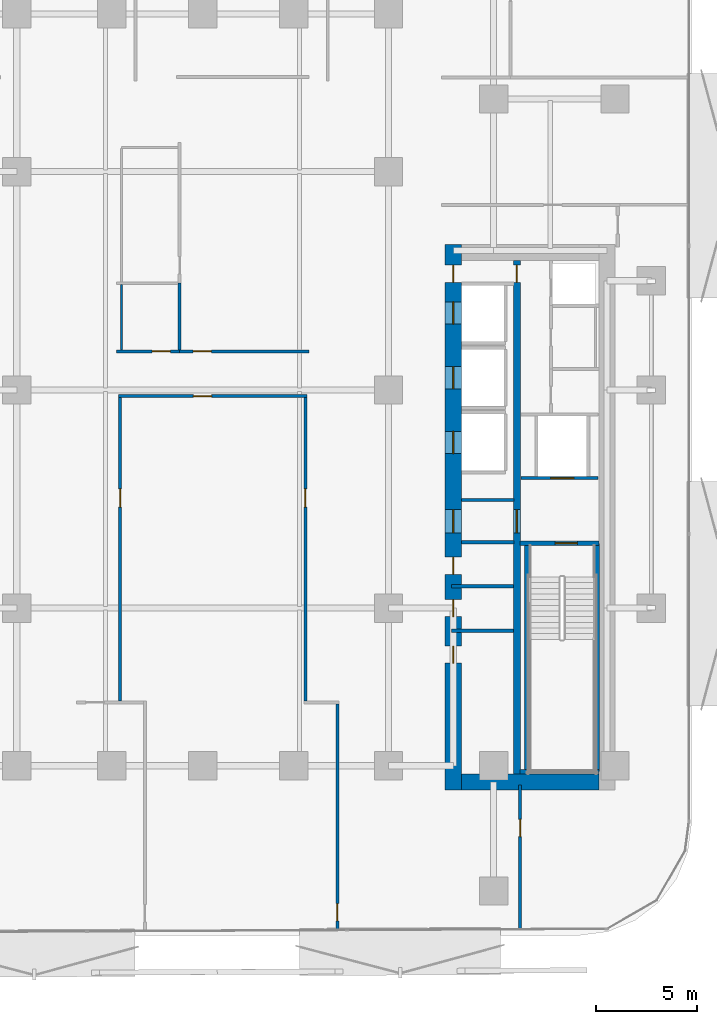
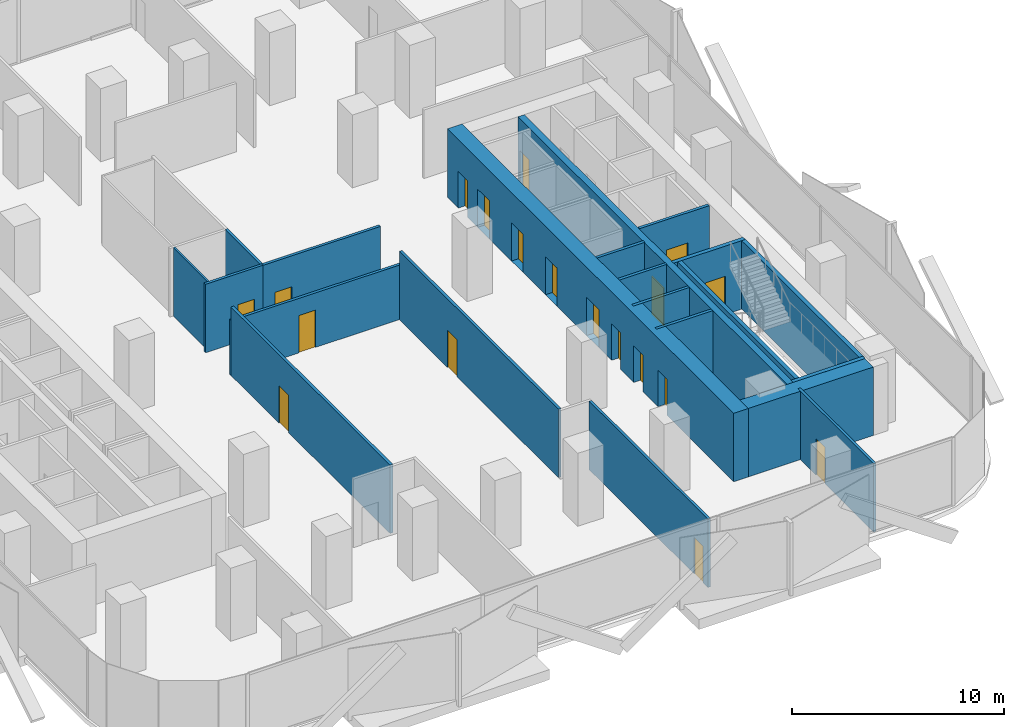
# One storey, part 4 of 15: 21 walls, 19 doors, 19 openings.
"""IFC4 building model written with IfcOpenShell, lengths in metres."""

from ifc_helpers import new_model, si_unit, direction, frame, frame_2d, origin, place, context, subcontext, project, spatial, rectangle, extrude, material, layer, layer_set, type_object, element, fill, save


model = new_model("IFC4")

# Units and contexts
model_context = context("Model", 3, precision=1e-05, world=origin(), true_north=direction((0.0, 1.0)))
body_context = subcontext(model_context, "Body", "Model", "MODEL_VIEW")
ifc_project = project(units=[si_unit("LENGTHUNIT", "METRE"), si_unit("AREAUNIT", "SQUARE_METRE"), si_unit("VOLUMEUNIT", "CUBIC_METRE"), si_unit("PLANEANGLEUNIT", "RADIAN"), si_unit("MASSUNIT", "GRAM", prefix="KILO")], contexts=[model_context])

# Site, building, storey
site_placement = place(None, origin())
site = spatial("IfcSite", under=ifc_project, at=site_placement, CompositionType="ELEMENT")
building_placement = place(site_placement, origin())
building = spatial("IfcBuilding", under=site, at=building_placement, Name="Khairoan Windgate Tower", CompositionType="ELEMENT")
storey_placement = place(building_placement, frame((0.0, 0.0, 76.39990234375)))
storey = spatial("IfcBuildingStorey", under=building, at=storey_placement, Name="L18", CompositionType="ELEMENT", Elevation=76.39990234375)

# Wall
ifc_material_1 = material(Name="Moisture-Resistant Gypsum Partition", Category="gypsum")
ifc_layer_1 = layer(ifc_material_1, 0.10009765625, Name="Moisture-Resistant Gypsum Partition")
ifc_layer_set_1 = layer_set([ifc_layer_1], Name="Moisture-Resistant Gypsum Partition")
wall_type_1 = type_object("IfcWallType", Name="Bathroom Wet-Area Partition Wall", PredefinedType="PARTITIONING", material=ifc_layer_set_1)
wall_1_placement = place(storey_placement, frame((-4.02001953125, 1.97998046875, 0.0), z_axis=(0.0, 0.0, 1.0), x_axis=(0.0, 1.0, 0.0)))
element("IfcWall", 1, at=wall_1_placement, inside=storey, type_object=wall_type_1, Name="L18 Wet Room Side Wall 045", PredefinedType="PARTITIONING", context=body_context, shape_type="SweptSolid", body=[
    extrude(rectangle(XDim=3.22998046875, YDim=0.10009765625, at=frame_2d((1.614990234375, 0.0))), origin(), (0.0, 0.0, 1.0), 3.940185546875),
])

# Wall, opening, door
ifc_material_2 = material(Name="Concrete C40/50", Category="concrete")
ifc_layer_2 = layer(ifc_material_2, 0.159912109375, Name="Concrete C40/50")
ifc_layer_set_2 = layer_set([ifc_layer_2], Name="Concrete C40/50")
wall_type_2 = type_object("IfcWallType", Name="Core and Hoistway Enclosure Wall", PredefinedType="STANDARD", material=ifc_layer_set_2)
wall_2_placement = place(storey_placement, frame((15.75, -4.360107421875, 0.0), z_axis=(0.0, 0.0, 1.0), x_axis=(1.0, 0.0, 0.0)))
wall_2 = element("IfcWall", 2, at=wall_2_placement, inside=storey, type_object=wall_type_2, Name="L18 Core Shaft Wall SW-FL1-L18", PredefinedType="STANDARD", context=body_context, shape_type="SweptSolid", body=[
    extrude(rectangle(XDim=3.800048828125, YDim=0.159912109375, at=frame_2d((1.89990234375, 0.0))), origin(), (0.0, 0.0, 1.0), 3.940185546875),
])
opening_1_placement = place(wall_2_placement, frame((1.469970703125, 0.0, 0.0)))
opening_1 = element("IfcOpeningElement", 3, at=opening_1_placement, cuts=wall_2, Name="Opening LD-FL", PredefinedType="OPENING", context=body_context, shape_type="SweptSolid", body=[
    extrude(rectangle(XDim=1.14990234375, YDim=2.199951171875, at=frame_2d((0.574951171875, 1.10009765625))), frame((0.0, 0.08984375, 0.0), z_axis=(0.0, -1.0, 0.0), x_axis=(1.0, 0.0, 0.0)), (0.0, 0.0, 1.0), 0.179931640625),
])
ifc_material_3 = material(Name="Steel S355", Category="steel")
door_type_1 = type_object("IfcDoorType", Name="Firefighting Lift Sliding Landing Door LD-FL 1150x2200", OperationType="DOUBLE_DOOR_SLIDING", PredefinedType="DOOR", material=ifc_material_3)
door_1_placement = place(opening_1_placement, origin())
door_1 = element("IfcDoor", 4, at=door_1_placement, inside=storey, type_object=door_type_1, Name="L18 Firefighting Lift FL1 Landing Door", OperationType="DOUBLE_DOOR_SLIDING", OverallHeight=2.199951171875, OverallWidth=1.14990234375, PredefinedType="DOOR", context=body_context, shape_type="SweptSolid", body=[
    extrude(rectangle(XDim=1.14990234375, YDim=2.199951171875, at=frame_2d((0.574951171875, 1.10009765625))), frame((0.0, 0.02490234375, 0.0), z_axis=(0.0, -1.0, 0.0), x_axis=(1.0, 0.0, 0.0)), (0.0, 0.0, 1.0), 0.050048828125),
])
fill(opening_1, door_1)

# Walls
for number, where, z_axis, x_axis, name in (
    (5, (12.800048828125, -5.449951171875, 0.0), (0.0, 0.0, 1.0), (1.0, 0.0, 0.0), "L18 Core Shaft Wall SW-EV1-L18"),
    (6, (12.800048828125, -7.5400390625, 0.0), (0.0, 0.0, 1.0), (1.0, 0.0, 0.0), "L18 Core Shaft Wall SW-EV2-L18"),
):
    element("IfcWall", number, at=place(storey_placement, frame(where, z_axis=z_axis, x_axis=x_axis)), inside=storey, type_object=wall_type_2, Name=name, PredefinedType="STANDARD", context=body_context, shape_type="SweptSolid", body=[
        extrude(rectangle(XDim=2.599853515625, YDim=0.159912109375, at=frame_2d((1.2998046875, 0.0))), origin(), (0.0, 0.0, 1.0), 3.940185546875),
    ])

# Wall, opening, door
ifc_material_4 = material(Name="Acoustic Fire-Rated Gypsum Partition", Category="gypsum")
ifc_layer_3 = layer(ifc_material_4, 0.139892578125, Name="Acoustic Fire-Rated Gypsum Partition")
ifc_layer_set_3 = layer_set([ifc_layer_3], Name="Acoustic Fire-Rated Gypsum Partition")
wall_type_3 = type_object("IfcWallType", Name="Inter-Tenancy Compartment Wall", PredefinedType="PARTITIONING", material=ifc_layer_set_3)
wall_3_placement = place(storey_placement, frame((6.6640625, -26.732421875, 0.0), z_axis=(0.0, 0.0, 1.0), x_axis=(0.0, 1.0, 0.0)))
wall_3 = element("IfcWall", 7, at=wall_3_placement, inside=storey, type_object=wall_type_3, Name="L18 Interior Partition 038", PredefinedType="PARTITIONING", context=body_context, shape_type="SweptSolid", body=[
    extrude(rectangle(XDim=11.197509765625, YDim=0.139892578125, at=frame_2d((5.5986328125, 0.0))), origin(), (0.0, 0.0, 1.0), 3.940185546875),
])
opening_2_placement = place(wall_3_placement, frame((0.4599609375, 0.0, 0.0)))
opening_2 = element("IfcOpeningElement", 8, at=opening_2_placement, cuts=wall_3, Name="Opening FD-SRV", PredefinedType="OPENING", context=body_context, shape_type="SweptSolid", body=[
    extrude(rectangle(XDim=0.85009765625, YDim=2.10009765625, at=frame_2d((0.425048828125, 1.050048828125))), frame((0.0, 0.079833984375, 0.0), z_axis=(0.0, -1.0, 0.0), x_axis=(1.0, 0.0, 0.0)), (0.0, 0.0, 1.0), 0.159912109375),
])
ifc_material_5 = material(Name="Steel S355", Category="steel")
door_type_2 = type_object("IfcDoorType", Name="Core Service and Riser Fire Door FD-SRV 850x2100", OperationType="NOTDEFINED", PredefinedType="DOOR", material=ifc_material_5)
door_2_placement = place(opening_2_placement, origin())
door_2 = element("IfcDoor", 9, at=door_2_placement, inside=storey, type_object=door_type_2, Name="L18 L18-48-L18-49 Door", OperationType="SINGLE_SWING_RIGHT", OverallHeight=2.10009765625, OverallWidth=0.85009765625, PredefinedType="DOOR", context=body_context, shape_type="SweptSolid", body=[
    extrude(rectangle(XDim=0.85009765625, YDim=2.10009765625, at=frame_2d((0.425048828125, 1.050048828125))), frame((0.0, 0.02490234375, 0.0), z_axis=(0.0, -1.0, 0.0), x_axis=(1.0, 0.0, 0.0)), (0.0, 0.0, 1.0), 0.050048828125),
])
fill(opening_2, door_2)

wall_4_placement = place(storey_placement, frame((15.7080078125, -26.688720703125, 0.0), z_axis=(0.0, 0.0, 1.0), x_axis=(0.0, 1.0, 0.0)))
wall_4 = element("IfcWall", 10, at=wall_4_placement, inside=storey, type_object=wall_type_3, Name="L18 Interior Partition 039", PredefinedType="PARTITIONING", context=body_context, shape_type="SweptSolid", body=[
    extrude(rectangle(XDim=7.128662109375, YDim=0.139892578125, at=frame_2d((3.564453125, 0.0))), origin(), (0.0, 0.0, 1.0), 3.940185546875),
])
opening_3_placement = place(wall_4_placement, frame((4.58203125, 0.0, 0.0)))
opening_3 = element("IfcOpeningElement", 11, at=opening_3_placement, cuts=wall_4, Name="Opening FD-SRV", PredefinedType="OPENING", context=body_context, shape_type="SweptSolid", body=[
    extrude(rectangle(XDim=0.85009765625, YDim=2.10009765625, at=frame_2d((0.425048828125, 1.050048828125))), frame((0.0, 0.079833984375, 0.0), z_axis=(0.0, -1.0, 0.0), x_axis=(1.0, 0.0, 0.0)), (0.0, 0.0, 1.0), 0.159912109375),
])
door_3_placement = place(opening_3_placement, origin())
door_3 = element("IfcDoor", 12, at=door_3_placement, inside=storey, type_object=door_type_2, Name="L18 L18-49-L18-50 Door", OperationType="SINGLE_SWING_LEFT", OverallHeight=2.10009765625, OverallWidth=0.85009765625, PredefinedType="DOOR", context=body_context, shape_type="SweptSolid", body=[
    extrude(rectangle(XDim=0.85009765625, YDim=2.10009765625, at=frame_2d((0.425048828125, 1.050048828125))), frame((0.0, 0.02490234375, 0.0), z_axis=(0.0, -1.0, 0.0), x_axis=(1.0, 0.0, 0.0)), (0.0, 0.0, 1.0), 0.050048828125),
])
fill(opening_3, door_3)

# Walls
wall_5_placement = place(storey_placement, frame((-1.139892578125, 1.97998046875, 0.0), z_axis=(0.0, 0.0, 1.0), x_axis=(0.0, 1.0, 0.0)))
element("IfcWall", 13, at=wall_5_placement, inside=storey, type_object=wall_type_3, Name="L18 Interior Partition 041", PredefinedType="PARTITIONING", context=body_context, shape_type="SweptSolid", body=[
    extrude(rectangle(XDim=3.300048828125, YDim=0.139892578125, at=frame_2d((1.64990234375, 0.0))), origin(), (0.0, 0.0, 1.0), 3.940185546875),
])
ifc_material_6 = material(Name="Concrete C40/50", Category="concrete")
ifc_layer_4 = layer(ifc_material_6, 0.159912109375, Name="Concrete C40/50")
ifc_layer_set_4 = layer_set([ifc_layer_4], Name="Concrete C40/50")
wall_type_4 = type_object("IfcWallType", Name="Plant and Refuge Compartment Wall", PredefinedType="PARTITIONING", material=ifc_layer_set_4)
for number, where, z_axis, x_axis, name in (
    (14, (12.31005859375, -11.919921875, 0.0), (0.0, 0.0, 1.0), (1.0, 0.0, 0.0), "L18 Interior Partition 011"),
    (15, (12.31005859375, -9.719970703125, 0.0), (0.0, 0.0, 1.0), (1.0, 0.0, 0.0), "L18 Interior Partition 012"),
):
    element("IfcWall", number, at=place(storey_placement, frame(where, z_axis=z_axis, x_axis=x_axis)), inside=storey, type_object=wall_type_4, Name=name, PredefinedType="PARTITIONING", context=body_context, shape_type="SweptSolid", body=[
        extrude(rectangle(XDim=3.06494140625, YDim=0.159912109375, at=frame_2d((1.532470703125, 0.0))), origin(), (0.0, 0.0, 1.0), 3.940185546875),
    ])

# Wall, opening, door
ifc_material_7 = material(Name="Acoustic Fire-Rated Gypsum Partition", Category="gypsum")
ifc_layer_5 = layer(ifc_material_7, 0.14990234375, Name="Acoustic Fire-Rated Gypsum Partition")
ifc_layer_set_5 = layer_set([ifc_layer_5], Name="Acoustic Fire-Rated Gypsum Partition")
wall_type_5 = type_object("IfcWallType", Name="Rated Corridor Partition Wall", PredefinedType="PARTITIONING", material=ifc_layer_set_5)
wall_6_placement = place(storey_placement, frame((-4.260009765625, 1.905029296875, 0.0), z_axis=(0.0, 0.0, 1.0), x_axis=(1.0, 0.0, 0.0)))
wall_6 = element("IfcWall", 16, at=wall_6_placement, inside=storey, type_object=wall_type_5, Name="L18 Interior Partition 014", PredefinedType="PARTITIONING", context=body_context, shape_type="SweptSolid", body=[
    extrude(rectangle(XDim=3.1201171875, YDim=0.14990234375, at=frame_2d((1.56005859375, 0.0))), origin(), (0.0, 0.0, 1.0), 3.940185546875),
])
opening_4_placement = place(wall_6_placement, frame((1.760009765625, 0.0, 0.0)))
opening_4 = element("IfcOpeningElement", 17, at=opening_4_placement, cuts=wall_6, Name="Opening FD-ENT", PredefinedType="OPENING", context=body_context, shape_type="SweptSolid", body=[
    extrude(rectangle(XDim=0.89990234375, YDim=2.14990234375, at=frame_2d((0.449951171875, 1.074951171875))), frame((0.0, 0.0849609375, 0.0), z_axis=(0.0, -1.0, 0.0), x_axis=(1.0, 0.0, 0.0)), (0.0, 0.0, 1.0), 0.169921875),
])
ifc_material_8 = material(Name="Timber Fire-Rated Core", Category="wood")
door_type_3 = type_object("IfcDoorType", Name="Unit and Office Fire Entrance Door FD-ENT 900x2150", OperationType="NOTDEFINED", PredefinedType="DOOR", material=ifc_material_8)
door_4_placement = place(opening_4_placement, origin())
door_4 = element("IfcDoor", 18, at=door_4_placement, inside=storey, type_object=door_type_3, Name="L18 L18-33-L18-51 Door", OperationType="SINGLE_SWING_LEFT", OverallHeight=2.14990234375, OverallWidth=0.89990234375, PredefinedType="DOOR", context=body_context, shape_type="SweptSolid", body=[
    extrude(rectangle(XDim=0.89990234375, YDim=2.14990234375, at=frame_2d((0.449951171875, 1.074951171875))), frame((0.0, 0.02490234375, 0.0), z_axis=(0.0, -1.0, 0.0), x_axis=(1.0, 0.0, 0.0)), (0.0, 0.0, 1.0), 0.050048828125),
])
fill(opening_4, door_4)

wall_7_placement = place(storey_placement, frame((-1.139892578125, 1.905029296875, 0.0), z_axis=(0.0, 0.0, 1.0), x_axis=(1.0, 0.0, 0.0)))
wall_7 = element("IfcWall", 19, at=wall_7_placement, inside=storey, type_object=wall_type_5, Name="L18 Interior Partition 015", PredefinedType="PARTITIONING", context=body_context, shape_type="SweptSolid", body=[
    extrude(rectangle(XDim=6.39990234375, YDim=0.14990234375, at=frame_2d((3.199951171875, 0.0))), origin(), (0.0, 0.0, 1.0), 3.940185546875),
])
opening_5_placement = place(wall_7_placement, frame((0.668212890625, 0.0, 0.0)))
opening_5 = element("IfcOpeningElement", 20, at=opening_5_placement, cuts=wall_7, Name="Opening FD-ENT", PredefinedType="OPENING", context=body_context, shape_type="SweptSolid", body=[
    extrude(rectangle(XDim=0.89990234375, YDim=2.14990234375, at=frame_2d((0.449951171875, 1.074951171875))), frame((0.0, 0.0849609375, 0.0), z_axis=(0.0, -1.0, 0.0), x_axis=(1.0, 0.0, 0.0)), (0.0, 0.0, 1.0), 0.169921875),
])
door_5_placement = place(opening_5_placement, origin())
door_5 = element("IfcDoor", 21, at=door_5_placement, inside=storey, type_object=door_type_3, Name="L18 L18-33-L18-53 Door", OperationType="SINGLE_SWING_RIGHT", OverallHeight=2.14990234375, OverallWidth=0.89990234375, PredefinedType="DOOR", context=body_context, shape_type="SweptSolid", body=[
    extrude(rectangle(XDim=0.89990234375, YDim=2.14990234375, at=frame_2d((0.449951171875, 1.074951171875))), frame((0.0, 0.02490234375, 0.0), z_axis=(0.0, -1.0, 0.0), x_axis=(1.0, 0.0, 0.0)), (0.0, 0.0, 1.0), 0.050048828125),
])
fill(opening_5, door_5)

wall_8_placement = place(storey_placement, frame((-4.159912109375, -0.304931640625, 0.0), z_axis=(0.0, 0.0, 1.0), x_axis=(1.0, 0.0, 0.0)))
wall_8 = element("IfcWall", 22, at=wall_8_placement, inside=storey, type_object=wall_type_5, Name="L18 Interior Partition 016", PredefinedType="PARTITIONING", context=body_context, shape_type="SweptSolid", body=[
    extrude(rectangle(XDim=9.31982421875, YDim=0.14990234375, at=frame_2d((4.659912109375, 0.0))), origin(), (0.0, 0.0, 1.0), 3.14013671875),
])
opening_6_placement = place(wall_8_placement, frame((3.703125, 0.0, 0.0)))
opening_6 = element("IfcOpeningElement", 23, at=opening_6_placement, cuts=wall_8, Name="Opening FD-ENT", PredefinedType="OPENING", context=body_context, shape_type="SweptSolid", body=[
    extrude(rectangle(XDim=0.89990234375, YDim=2.14990234375, at=frame_2d((0.449951171875, 1.074951171875))), frame((0.0, 0.0849609375, 0.0), z_axis=(0.0, -1.0, 0.0), x_axis=(1.0, 0.0, 0.0)), (0.0, 0.0, 1.0), 0.169921875),
])
door_6_placement = place(opening_6_placement, origin())
door_6 = element("IfcDoor", 24, at=door_6_placement, inside=storey, type_object=door_type_3, Name="L18 L18-33-L18-54 Door", OperationType="SINGLE_SWING_LEFT", OverallHeight=2.14990234375, OverallWidth=0.89990234375, PredefinedType="DOOR", context=body_context, shape_type="SweptSolid", body=[
    extrude(rectangle(XDim=0.89990234375, YDim=2.14990234375, at=frame_2d((0.449951171875, 1.074951171875))), frame((0.0, 0.02490234375, 0.0), z_axis=(0.0, -1.0, 0.0), x_axis=(1.0, 0.0, 0.0)), (0.0, 0.0, 1.0), 0.050048828125),
])
fill(opening_6, door_6)

wall_9_placement = place(storey_placement, frame((-4.0849609375, -15.385009765625, 0.0), z_axis=(0.0, 0.0, 1.0), x_axis=(0.0, 1.0, 0.0)))
wall_9 = element("IfcWall", 25, at=wall_9_placement, inside=storey, type_object=wall_type_5, Name="L18 Interior Partition 018", PredefinedType="PARTITIONING", context=body_context, shape_type="SweptSolid", body=[
    extrude(rectangle(XDim=15.005126953125, YDim=0.14990234375, at=frame_2d((7.50244140625, 0.0))), origin(), (0.0, 0.0, 1.0), 3.940185546875),
])
opening_7_placement = place(wall_9_placement, frame((9.588134765625, 0.0, 0.0)))
opening_7 = element("IfcOpeningElement", 26, at=opening_7_placement, cuts=wall_9, Name="Opening FD-ENT", PredefinedType="OPENING", context=body_context, shape_type="SweptSolid", body=[
    extrude(rectangle(XDim=0.89990234375, YDim=2.14990234375, at=frame_2d((0.449951171875, 1.074951171875))), frame((0.0, 0.0849609375, 0.0), z_axis=(0.0, -1.0, 0.0), x_axis=(1.0, 0.0, 0.0)), (0.0, 0.0, 1.0), 0.169921875),
])
door_7_placement = place(opening_7_placement, origin())
door_7 = element("IfcDoor", 27, at=door_7_placement, inside=storey, type_object=door_type_3, Name="L18 L18-34-L18-54 Door", OperationType="SINGLE_SWING_LEFT", OverallHeight=2.14990234375, OverallWidth=0.89990234375, PredefinedType="DOOR", context=body_context, shape_type="SweptSolid", body=[
    extrude(rectangle(XDim=0.89990234375, YDim=2.14990234375, at=frame_2d((0.449951171875, 1.074951171875))), frame((0.0, 0.02490234375, 0.0), z_axis=(0.0, -1.0, 0.0), x_axis=(1.0, 0.0, 0.0)), (0.0, 0.0, 1.0), 0.050048828125),
])
fill(opening_7, door_7)

wall_10_placement = place(storey_placement, frame((5.0849609375, -15.385009765625, 0.0), z_axis=(0.0, 0.0, 1.0), x_axis=(0.0, 1.0, 0.0)))
wall_10 = element("IfcWall", 28, at=wall_10_placement, inside=storey, type_object=wall_type_5, Name="L18 Interior Partition 020", PredefinedType="PARTITIONING", context=body_context, shape_type="SweptSolid", body=[
    extrude(rectangle(XDim=15.005126953125, YDim=0.14990234375, at=frame_2d((7.50244140625, 0.0))), origin(), (0.0, 0.0, 1.0), 3.940185546875),
])
opening_8_placement = place(wall_10_placement, frame((9.588134765625, 0.0, 0.0)))
opening_8 = element("IfcOpeningElement", 29, at=opening_8_placement, cuts=wall_10, Name="Opening FD-ENT", PredefinedType="OPENING", context=body_context, shape_type="SweptSolid", body=[
    extrude(rectangle(XDim=0.89990234375, YDim=2.14990234375, at=frame_2d((0.449951171875, 1.074951171875))), frame((0.0, 0.0849609375, 0.0), z_axis=(0.0, -1.0, 0.0), x_axis=(1.0, 0.0, 0.0)), (0.0, 0.0, 1.0), 0.169921875),
])
door_8_placement = place(opening_8_placement, origin())
door_8 = element("IfcDoor", 30, at=door_8_placement, inside=storey, type_object=door_type_3, Name="L18 L18-35-L18-54 Door", OperationType="SINGLE_SWING_LEFT", OverallHeight=2.14990234375, OverallWidth=0.89990234375, PredefinedType="DOOR", context=body_context, shape_type="SweptSolid", body=[
    extrude(rectangle(XDim=0.89990234375, YDim=2.14990234375, at=frame_2d((0.449951171875, 1.074951171875))), frame((0.0, 0.02490234375, 0.0), z_axis=(0.0, -1.0, 0.0), x_axis=(1.0, 0.0, 0.0)), (0.0, 0.0, 1.0), 0.050048828125),
])
fill(opening_8, door_8)

# Wall, openings, doors
ifc_material_9 = material(Name="Concrete C70/85", Category="concrete")
ifc_layer_6 = layer(ifc_material_9, 0.800048828125, Name="Concrete C70/85")
ifc_layer_set_6 = layer_set([ifc_layer_6], Name="Concrete C70/85")
wall_type_6 = type_object("IfcWallType", Name="Shear Wall CW-E1 800mm", PredefinedType="SHEAR", material=ifc_layer_set_6)
wall_11_placement = place(storey_placement, frame((12.39990234375, -19.800048828125, 0.0), z_axis=(0.0, 0.0, 1.0), x_axis=(0.0, 1.0, 0.0)))
wall_11 = element("IfcWall", 31, at=wall_11_placement, inside=storey, type_object=wall_type_6, Name="E Core West Shear Wall L18", PredefinedType="SHEAR", context=body_context, shape_type="SweptSolid", body=[
    extrude(rectangle(XDim=27.0, YDim=0.800048828125, at=frame_2d((13.5, 0.0))), origin(), (0.0, 0.0, 1.0), 3.940185546875),
])
opening_9_placement = place(wall_11_placement, frame((23.050048828125, 0.0, 0.0)))
opening_9 = element("IfcOpeningElement", 32, at=opening_9_placement, cuts=wall_11, Name="Opening LD-PL", PredefinedType="OPENING", context=body_context, shape_type="SweptSolid", body=[
    extrude(rectangle(XDim=1.10009765625, YDim=2.199951171875, at=frame_2d((0.550048828125, 1.10009765625))), frame((0.0, 0.409912109375, 0.0), z_axis=(0.0, -1.0, 0.0), x_axis=(1.0, 0.0, 0.0)), (0.0, 0.0, 1.0), 0.820068359375),
])
opening_10_placement = place(wall_11_placement, frame((19.85009765625, 0.0, 0.0)))
opening_10 = element("IfcOpeningElement", 33, at=opening_10_placement, cuts=wall_11, Name="Opening LD-PL", PredefinedType="OPENING", context=body_context, shape_type="SweptSolid", body=[
    extrude(rectangle(XDim=1.10009765625, YDim=2.199951171875, at=frame_2d((0.550048828125, 1.10009765625))), frame((0.0, 0.409912109375, 0.0), z_axis=(0.0, -1.0, 0.0), x_axis=(1.0, 0.0, 0.0)), (0.0, 0.0, 1.0), 0.820068359375),
])
opening_11_placement = place(wall_11_placement, frame((16.64990234375, 0.0, 0.0)))
opening_11 = element("IfcOpeningElement", 34, at=opening_11_placement, cuts=wall_11, Name="Opening LD-PL", PredefinedType="OPENING", context=body_context, shape_type="SweptSolid", body=[
    extrude(rectangle(XDim=1.10009765625, YDim=2.199951171875, at=frame_2d((0.550048828125, 1.10009765625))), frame((0.0, 0.409912109375, 0.0), z_axis=(0.0, -1.0, 0.0), x_axis=(1.0, 0.0, 0.0)), (0.0, 0.0, 1.0), 0.820068359375),
])
opening_12_placement = place(wall_11_placement, frame((6.27490234375, 0.0, 0.0)))
opening_12 = element("IfcOpeningElement", 35, at=opening_12_placement, cuts=wall_11, Name="Opening FD-SRV", PredefinedType="OPENING", context=body_context, shape_type="SweptSolid", body=[
    extrude(rectangle(XDim=0.85009765625, YDim=2.10009765625, at=frame_2d((0.425048828125, 1.050048828125))), frame((0.0, 0.409912109375, 0.0), z_axis=(0.0, -1.0, 0.0), x_axis=(1.0, 0.0, 0.0)), (0.0, 0.0, 1.0), 0.820068359375),
])
opening_13_placement = place(wall_11_placement, frame((8.574951171875, 0.0, 0.0)))
opening_13 = element("IfcOpeningElement", 36, at=opening_13_placement, cuts=wall_11, Name="Opening FD-SRV", PredefinedType="OPENING", context=body_context, shape_type="SweptSolid", body=[
    extrude(rectangle(XDim=0.85009765625, YDim=2.10009765625, at=frame_2d((0.425048828125, 1.050048828125))), frame((0.0, 0.409912109375, 0.0), z_axis=(0.0, -1.0, 0.0), x_axis=(1.0, 0.0, 0.0)), (0.0, 0.0, 1.0), 0.820068359375),
])
opening_14_placement = place(wall_11_placement, frame((10.675048828125, 0.0, 0.0)))
opening_14 = element("IfcOpeningElement", 37, at=opening_14_placement, cuts=wall_11, Name="Opening FD-SRV", PredefinedType="OPENING", context=body_context, shape_type="SweptSolid", body=[
    extrude(rectangle(XDim=0.85009765625, YDim=2.10009765625, at=frame_2d((0.425048828125, 1.050048828125))), frame((0.0, 0.409912109375, 0.0), z_axis=(0.0, -1.0, 0.0), x_axis=(1.0, 0.0, 0.0)), (0.0, 0.0, 1.0), 0.820068359375),
])
opening_15_placement = place(wall_11_placement, frame((12.72509765625, 0.0, 0.0)))
opening_15 = element("IfcOpeningElement", 38, at=opening_15_placement, cuts=wall_11, Name="Opening FD-FFL", PredefinedType="OPENING", context=body_context, shape_type="SweptSolid", body=[
    extrude(rectangle(XDim=1.14990234375, YDim=2.199951171875, at=frame_2d((0.574951171875, 1.10009765625))), frame((0.0, 0.409912109375, 0.0), z_axis=(0.0, -1.0, 0.0), x_axis=(1.0, 0.0, 0.0)), (0.0, 0.0, 1.0), 0.820068359375),
])
opening_16_placement = place(wall_11_placement, frame((25.125, 0.0, 0.0)))
opening_16 = element("IfcOpeningElement", 39, at=opening_16_placement, cuts=wall_11, Name="Opening FD-SRV", PredefinedType="OPENING", context=body_context, shape_type="SweptSolid", body=[
    extrude(rectangle(XDim=0.85009765625, YDim=2.10009765625, at=frame_2d((0.425048828125, 1.050048828125))), frame((0.0, 0.409912109375, 0.0), z_axis=(0.0, -1.0, 0.0), x_axis=(1.0, 0.0, 0.0)), (0.0, 0.0, 1.0), 0.820068359375),
])
door_9_placement = place(opening_12_placement, origin())
door_9 = element("IfcDoor", 40, at=door_9_placement, inside=storey, type_object=door_type_2, Name="L18 East Core Service Room Door 1", OperationType="SINGLE_SWING_LEFT", OverallHeight=2.10009765625, OverallWidth=0.85009765625, PredefinedType="DOOR", context=body_context, shape_type="SweptSolid", body=[
    extrude(rectangle(XDim=0.85009765625, YDim=2.10009765625, at=frame_2d((0.425048828125, 1.050048828125))), frame((0.0, 0.02490234375, 0.0), z_axis=(0.0, -1.0, 0.0), x_axis=(1.0, 0.0, 0.0)), (0.0, 0.0, 1.0), 0.050048828125),
])
fill(opening_12, door_9)
door_10_placement = place(opening_13_placement, origin())
door_10 = element("IfcDoor", 41, at=door_10_placement, inside=storey, type_object=door_type_2, Name="L18 East Core Service Room Door 2", OperationType="SINGLE_SWING_RIGHT", OverallHeight=2.10009765625, OverallWidth=0.85009765625, PredefinedType="DOOR", context=body_context, shape_type="SweptSolid", body=[
    extrude(rectangle(XDim=0.85009765625, YDim=2.10009765625, at=frame_2d((0.425048828125, 1.050048828125))), frame((0.0, 0.02490234375, 0.0), z_axis=(0.0, -1.0, 0.0), x_axis=(1.0, 0.0, 0.0)), (0.0, 0.0, 1.0), 0.050048828125),
])
fill(opening_13, door_10)
door_11_placement = place(opening_14_placement, origin())
door_11 = element("IfcDoor", 42, at=door_11_placement, inside=storey, type_object=door_type_2, Name="L18 East Core Service Room Door 3", OperationType="SINGLE_SWING_LEFT", OverallHeight=2.10009765625, OverallWidth=0.85009765625, PredefinedType="DOOR", context=body_context, shape_type="SweptSolid", body=[
    extrude(rectangle(XDim=0.85009765625, YDim=2.10009765625, at=frame_2d((0.425048828125, 1.050048828125))), frame((0.0, 0.02490234375, 0.0), z_axis=(0.0, -1.0, 0.0), x_axis=(1.0, 0.0, 0.0)), (0.0, 0.0, 1.0), 0.050048828125),
])
fill(opening_14, door_11)
door_12_placement = place(opening_16_placement, origin())
door_12 = element("IfcDoor", 43, at=door_12_placement, inside=storey, type_object=door_type_2, Name="L18 East Core Service Vestibule Outer Door", OperationType="SINGLE_SWING_RIGHT", OverallHeight=2.10009765625, OverallWidth=0.85009765625, PredefinedType="DOOR", context=body_context, shape_type="SweptSolid", body=[
    extrude(rectangle(XDim=0.85009765625, YDim=2.10009765625, at=frame_2d((0.425048828125, 1.050048828125))), frame((0.0, 0.02490234375, 0.0), z_axis=(0.0, -1.0, 0.0), x_axis=(1.0, 0.0, 0.0)), (0.0, 0.0, 1.0), 0.050048828125),
])
fill(opening_16, door_12)
ifc_material_10 = material(Name="Steel S355", Category="steel")
door_type_4 = type_object("IfcDoorType", Name="Firefighting Lobby Fire Door FD-FFL 1150x2200", OperationType="NOTDEFINED", PredefinedType="DOOR", material=ifc_material_10)
door_13_placement = place(opening_15_placement, origin())
door_13 = element("IfcDoor", 44, at=door_13_placement, inside=storey, type_object=door_type_4, Name="L18 East Core Vestibule Entry Door", OperationType="SINGLE_SWING_RIGHT", OverallHeight=2.199951171875, OverallWidth=1.14990234375, PredefinedType="DOOR", context=body_context, shape_type="SweptSolid", body=[
    extrude(rectangle(XDim=1.14990234375, YDim=2.199951171875, at=frame_2d((0.574951171875, 1.10009765625))), frame((0.0, 0.02490234375, 0.0), z_axis=(0.0, -1.0, 0.0), x_axis=(1.0, 0.0, 0.0)), (0.0, 0.0, 1.0), 0.050048828125),
])
fill(opening_15, door_13)
ifc_material_11 = material(Name="Anodised Bronze Aluminium 6063-T6", Category="aluminium")
door_type_5 = type_object("IfcDoorType", Name="Passenger Lift Sliding Landing Door LD-PL 1100x2200", OperationType="DOUBLE_DOOR_SLIDING", PredefinedType="DOOR", material=ifc_material_11)
door_14_placement = place(opening_9_placement, origin())
door_14 = element("IfcDoor", 45, at=door_14_placement, inside=storey, type_object=door_type_5, Name="L18 Lift PL7 Sliding Landing Door", OperationType="DOUBLE_DOOR_SLIDING", OverallHeight=2.199951171875, OverallWidth=1.10009765625, PredefinedType="DOOR", context=body_context, shape_type="SweptSolid", body=[
    extrude(rectangle(XDim=1.10009765625, YDim=2.199951171875, at=frame_2d((0.550048828125, 1.10009765625))), frame((0.0, 0.02490234375, 0.0), z_axis=(0.0, -1.0, 0.0), x_axis=(1.0, 0.0, 0.0)), (0.0, 0.0, 1.0), 0.050048828125),
])
fill(opening_9, door_14)
door_15_placement = place(opening_10_placement, origin())
door_15 = element("IfcDoor", 46, at=door_15_placement, inside=storey, type_object=door_type_5, Name="L18 Lift PL8 Sliding Landing Door", OperationType="DOUBLE_DOOR_SLIDING", OverallHeight=2.199951171875, OverallWidth=1.10009765625, PredefinedType="DOOR", context=body_context, shape_type="SweptSolid", body=[
    extrude(rectangle(XDim=1.10009765625, YDim=2.199951171875, at=frame_2d((0.550048828125, 1.10009765625))), frame((0.0, 0.02490234375, 0.0), z_axis=(0.0, -1.0, 0.0), x_axis=(1.0, 0.0, 0.0)), (0.0, 0.0, 1.0), 0.050048828125),
])
fill(opening_10, door_15)
door_16_placement = place(opening_11_placement, origin())
door_16 = element("IfcDoor", 47, at=door_16_placement, inside=storey, type_object=door_type_5, Name="L18 Lift PL9 Sliding Landing Door", OperationType="DOUBLE_DOOR_SLIDING", OverallHeight=2.199951171875, OverallWidth=1.10009765625, PredefinedType="DOOR", context=body_context, shape_type="SweptSolid", body=[
    extrude(rectangle(XDim=1.10009765625, YDim=2.199951171875, at=frame_2d((0.550048828125, 1.10009765625))), frame((0.0, 0.02490234375, 0.0), z_axis=(0.0, -1.0, 0.0), x_axis=(1.0, 0.0, 0.0)), (0.0, 0.0, 1.0), 0.050048828125),
])
fill(opening_11, door_16)

# Wall
wall_12_placement = place(storey_placement, frame((12.800048828125, -19.39990234375, 0.0), z_axis=(0.0, 0.0, 1.0), x_axis=(1.0, 0.0, 0.0)))
element("IfcWall", 48, at=wall_12_placement, inside=storey, type_object=wall_type_6, Name="E Core South Shear Wall L18", PredefinedType="SHEAR", context=body_context, shape_type="SweptSolid", body=[
    extrude(rectangle(XDim=6.800048828125, YDim=0.800048828125, at=frame_2d((3.39990234375, 0.0))), origin(), (0.0, 0.0, 1.0), 3.940185546875),
])

# Wall, openings, doors
ifc_material_12 = material(Name="Concrete C60/75", Category="concrete")
ifc_layer_7 = layer(ifc_material_12, 0.35009765625, Name="Concrete C60/75")
ifc_layer_set_7 = layer_set([ifc_layer_7], Name="Concrete C60/75")
wall_type_7 = type_object("IfcWallType", Name="Shear Wall SW-1 350mm", PredefinedType="SHEAR", material=ifc_layer_set_7)
wall_13_placement = place(storey_placement, frame((15.550048828125, -19.0, 0.0), z_axis=(0.0, 0.0, 1.0), x_axis=(0.0, 1.0, 0.0)))
wall_13 = element("IfcWall", 49, at=wall_13_placement, inside=storey, type_object=wall_type_7, Name="E Core Spine Shear Wall L18", PredefinedType="SHEAR", context=body_context, shape_type="SweptSolid", body=[
    extrude(rectangle(XDim=25.39990234375, YDim=0.35009765625, at=frame_2d((12.699951171875, 0.0))), origin(), (0.0, 0.0, 1.0), 3.940185546875),
])
opening_17_placement = place(wall_13_placement, frame((11.925048828125, 0.0, 0.0)))
opening_17 = element("IfcOpeningElement", 50, at=opening_17_placement, cuts=wall_13, Name="Opening FD-FFL", PredefinedType="OPENING", context=body_context, shape_type="SweptSolid", body=[
    extrude(rectangle(XDim=1.14990234375, YDim=2.199951171875, at=frame_2d((0.574951171875, 1.10009765625))), frame((0.0, 0.18505859375, 0.0), z_axis=(0.0, -1.0, 0.0), x_axis=(1.0, 0.0, 0.0)), (0.0, 0.0, 1.0), 0.3701171875),
])
opening_18_placement = place(wall_13_placement, frame((24.324951171875, 0.0, 0.0)))
opening_18 = element("IfcOpeningElement", 51, at=opening_18_placement, cuts=wall_13, Name="Opening FD-SRV", PredefinedType="OPENING", context=body_context, shape_type="SweptSolid", body=[
    extrude(rectangle(XDim=0.85009765625, YDim=2.10009765625, at=frame_2d((0.425048828125, 1.050048828125))), frame((0.0, 0.18505859375, 0.0), z_axis=(0.0, -1.0, 0.0), x_axis=(1.0, 0.0, 0.0)), (0.0, 0.0, 1.0), 0.3701171875),
])
door_17_placement = place(opening_18_placement, origin())
door_17 = element("IfcDoor", 52, at=door_17_placement, inside=storey, type_object=door_type_2, Name="L18 East Core Service Passage Inner Door", OperationType="SINGLE_SWING_LEFT", OverallHeight=2.10009765625, OverallWidth=0.85009765625, PredefinedType="DOOR", context=body_context, shape_type="SweptSolid", body=[
    extrude(rectangle(XDim=0.85009765625, YDim=2.10009765625, at=frame_2d((0.425048828125, 1.050048828125))), frame((0.0, 0.02490234375, 0.0), z_axis=(0.0, -1.0, 0.0), x_axis=(1.0, 0.0, 0.0)), (0.0, 0.0, 1.0), 0.050048828125),
])
fill(opening_18, door_17)
door_18_placement = place(opening_17_placement, origin())
door_18 = element("IfcDoor", 53, at=door_18_placement, inside=storey, type_object=door_type_4, Name="L18 East Firefighting Lobby Fire Door", OperationType="SINGLE_SWING_LEFT", OverallHeight=2.199951171875, OverallWidth=1.14990234375, PredefinedType="DOOR", context=body_context, shape_type="SweptSolid", body=[
    extrude(rectangle(XDim=1.14990234375, YDim=2.199951171875, at=frame_2d((0.574951171875, 1.10009765625))), frame((0.0, 0.02490234375, 0.0), z_axis=(0.0, -1.0, 0.0), x_axis=(1.0, 0.0, 0.0)), (0.0, 0.0, 1.0), 0.050048828125),
])
fill(opening_17, door_18)

# Walls
ifc_material_13 = material(Name="Concrete C50/60", Category="concrete")
ifc_layer_8 = layer(ifc_material_13, 0.219970703125, Name="Concrete C50/60")
ifc_layer_set_8 = layer_set([ifc_layer_8], Name="Concrete C50/60")
wall_type_8 = type_object("IfcWallType", Name="Shear Wall SW-ST 220mm", PredefinedType="SHEAR", material=ifc_layer_set_8)
for number, where, z_axis, x_axis, name in (
    (54, (16.0400390625, -18.889892578125, 0.0), (0.0, 0.0, 1.0), (0.0, 1.0, 0.0), "L18 Stair ST1 West Bearing Wall"),
    (55, (19.530029296875, -18.889892578125, 0.0), (0.0, 0.0, 1.0), (0.0, 1.0, 0.0), "L18 Stair ST1 East Bearing Wall"),
):
    element("IfcWall", number, at=place(storey_placement, frame(where, z_axis=z_axis, x_axis=x_axis)), inside=storey, type_object=wall_type_8, Name=name, PredefinedType="SHEAR", context=body_context, shape_type="SweptSolid", body=[
        extrude(rectangle(XDim=11.2998046875, YDim=0.219970703125, at=frame_2d((5.64990234375, 0.0))), origin(), (0.0, 0.0, 1.0), 3.940185546875),
    ])
wall_14_placement = place(storey_placement, frame((15.705078125, -18.889892578125, 0.0), z_axis=(0.0, 0.0, 1.0), x_axis=(1.0, 0.0, 0.0)))
element("IfcWall", 56, at=wall_14_placement, inside=storey, type_object=wall_type_8, Name="L18 Stair ST1 South Bearing Wall", PredefinedType="SHEAR", context=body_context, shape_type="SweptSolid", body=[
    extrude(rectangle(XDim=3.9150390625, YDim=0.219970703125, at=frame_2d((1.95751953125, 0.0))), origin(), (0.0, 0.0, 1.0), 3.940185546875),
])

# Wall, opening, door
wall_15_placement = place(storey_placement, frame((19.6201171875, -7.590087890625, 0.0), z_axis=(0.0, 0.0, 1.0), x_axis=(-1.0, 0.0, 0.0)))
wall_15 = element("IfcWall", 57, at=wall_15_placement, inside=storey, type_object=wall_type_8, Name="L18 Stair ST1 North Bearing Wall", PredefinedType="SHEAR", context=body_context, shape_type="SweptSolid", body=[
    extrude(rectangle(XDim=3.9150390625, YDim=0.219970703125, at=frame_2d((1.95751953125, 0.0))), origin(), (0.0, 0.0, 1.0), 3.940185546875),
])
opening_19_placement = place(wall_15_placement, frame((1.080078125, 0.0, 0.0)))
opening_19 = element("IfcOpeningElement", 58, at=opening_19_placement, cuts=wall_15, Name="Opening FD-ST", PredefinedType="OPENING", context=body_context, shape_type="SweptSolid", body=[
    extrude(rectangle(XDim=1.10009765625, YDim=2.199951171875, at=frame_2d((0.550048828125, 1.10009765625))), frame((0.0, 0.119873046875, 0.0), z_axis=(0.0, -1.0, 0.0), x_axis=(1.0, 0.0, 0.0)), (0.0, 0.0, 1.0), 0.239990234375),
])
ifc_material_14 = material(Name="Steel S355", Category="steel")
door_type_6 = type_object("IfcDoorType", Name="Smokeproof Stair Fire Door FD-ST 1100x2200", OperationType="NOTDEFINED", PredefinedType="DOOR", material=ifc_material_14)
door_19_placement = place(opening_19_placement, origin())
door_19 = element("IfcDoor", 59, at=door_19_placement, inside=storey, type_object=door_type_6, Name="L18 Stair ST1 Fire Door", OperationType="SINGLE_SWING_LEFT", OverallHeight=2.199951171875, OverallWidth=1.10009765625, PredefinedType="DOOR", context=body_context, shape_type="SweptSolid", body=[
    extrude(rectangle(XDim=1.10009765625, YDim=2.199951171875, at=frame_2d((0.550048828125, 1.10009765625))), frame((0.0, 0.02490234375, 0.0), z_axis=(0.0, -1.0, 0.0), x_axis=(1.0, 0.0, 0.0)), (0.0, 0.0, 1.0), 0.050048828125),
])
fill(opening_19, door_19)

save(model, "model.ifc")
